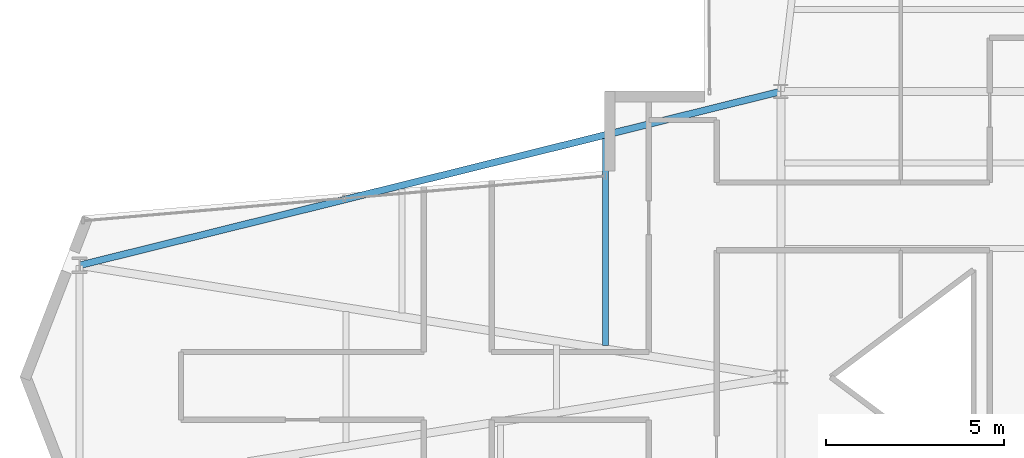
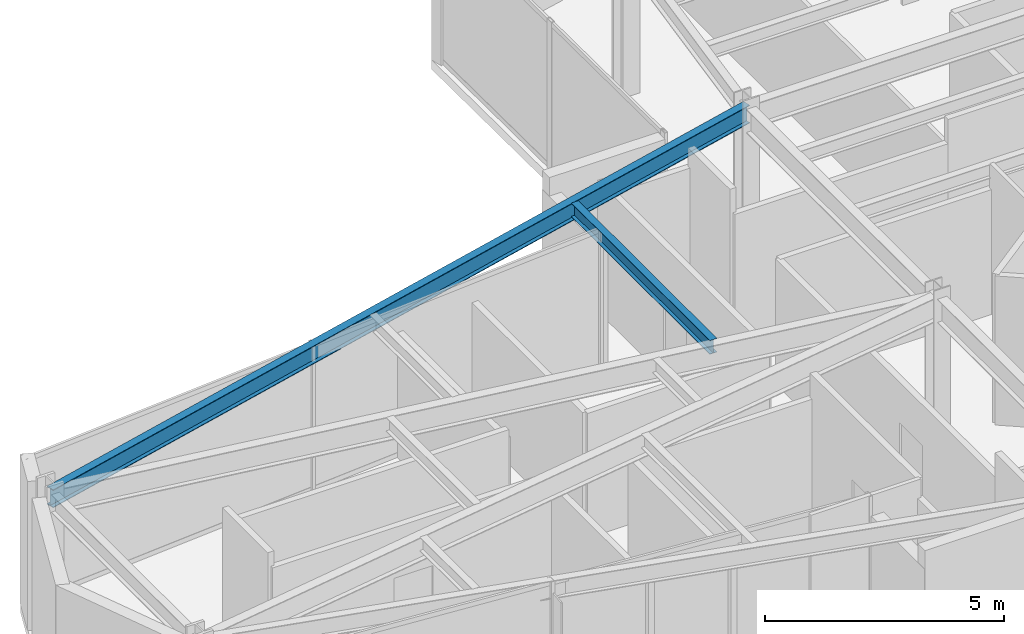
# One storey, part 10 of 26: 2 beams.
"""IFC4 building model written with IfcOpenShell, lengths in metres."""

import ifcopenshell
import ifcopenshell.guid

model = None  # the IFC model being written
_history = None  # IfcOwnerHistory: only IFC2X3 demands one
_inside = {}  # id of a spatial element -> (the spatial element, [elements in it])
_under = {}  # id of a project, library or spatial element -> (it, [spatial elements below it])
_declared = {}  # id of a project -> (the project, [libraries it declares])
_typed = {}  # id of a type object -> (the type object, [elements of that type])
_made_of = {}  # id of a material, layer set ... -> (it, [elements and type objects made of it])


def new_model(schema):
    """Start an empty IFC model of exactly this schema.

    Asked for "IFC4X3", IfcOpenShell would pick the latest addendum, in which some entities
    have other attributes; the version numbers below select the first issue.
    IFC2X3 requires an IfcOwnerHistory on every rooted entity: one is made here for all.
    """
    global model, _history
    if schema == "IFC4X3":
        model = ifcopenshell.file(schema_version=(4, 3, 0, 0))
    else:
        model = ifcopenshell.file(schema=schema)
    _inside.clear()
    _under.clear()
    _declared.clear()
    _typed.clear()
    _made_of.clear()
    _history = None
    if model.schema == "IFC2X3":
        org = make("IfcOrganization", Name="unknown")
        user = make(
            "IfcPersonAndOrganization",
            ThePerson=make("IfcPerson", FamilyName="unknown"),
            TheOrganization=org,
        )
        app = make(
            "IfcApplication",
            ApplicationDeveloper=org,
            Version="unknown",
            ApplicationFullName="unknown",
            ApplicationIdentifier="unknown",
        )
        _history = make(
            "IfcOwnerHistory",
            OwningUser=user,
            OwningApplication=app,
            ChangeAction="ADDED",
            CreationDate=0,
        )
    return model


def make(cls, **values):
    """One entity of the class cls with the attributes given. An attribute that is None is left unset."""
    return model.create_entity(
        cls, **{name: value for name, value in values.items() if value is not None}
    )


def rooted(cls, **values):
    """An entity with a GlobalId (a new one), such as an element, a storey or a relation."""
    return make(cls, GlobalId=ifcopenshell.guid.new(), OwnerHistory=_history, **values)


def si_unit(unit_type, name, prefix=None):
    """IfcSIUnit, for example si_unit("LENGTHUNIT", "METRE", prefix="MILLI")."""
    return make("IfcSIUnit", UnitType=unit_type, Prefix=prefix, Name=name)


def assignment(units):
    """IfcUnitAssignment: the units of a project."""
    return None if units is None else make("IfcUnitAssignment", Units=units)


def point(xyz):
    """IfcCartesianPoint."""
    return None if xyz is None else make("IfcCartesianPoint", Coordinates=xyz)


def direction(xyz):
    """IfcDirection."""
    return None if xyz is None else make("IfcDirection", DirectionRatios=xyz)


def frame(location, z_axis=None, x_axis=None):
    """IfcAxis2Placement3D, a coordinate frame: its origin and axes. An axis left out is left unset."""
    return make(
        "IfcAxis2Placement3D",
        Location=point(location),
        Axis=direction(z_axis),
        RefDirection=direction(x_axis),
    )


def frame_2d(location, x_axis=None):
    """IfcAxis2Placement2D, a coordinate frame in the plane: its origin and x axis."""
    return make(
        "IfcAxis2Placement2D", Location=point(location), RefDirection=direction(x_axis)
    )


def origin():
    """The frame at (0, 0, 0) with its axes left unset."""
    return frame((0.0, 0.0, 0.0))


def origin_2d():
    """The frame at (0, 0) in the plane with its x axis left unset."""
    return frame_2d((0.0, 0.0))


def place(relative_to, where):
    """IfcLocalPlacement: puts the frame where relative to a parent placement (None: the world)."""
    return make(
        "IfcLocalPlacement", PlacementRelTo=relative_to, RelativePlacement=where
    )


def context(
    kind, dimensions, precision=None, world=None, true_north=None, identifier=None
):
    """IfcGeometricRepresentationContext, for example the 3D "Model" context."""
    return make(
        "IfcGeometricRepresentationContext",
        ContextIdentifier=identifier,
        ContextType=kind,
        CoordinateSpaceDimension=dimensions,
        Precision=precision,
        WorldCoordinateSystem=world,
        TrueNorth=true_north,
    )


def subcontext(parent, identifier, kind, view, scale=None):
    """IfcGeometricRepresentationSubContext, for example "Body" below "Model"."""
    return make(
        "IfcGeometricRepresentationSubContext",
        ContextIdentifier=identifier,
        ContextType=kind,
        ParentContext=parent,
        TargetScale=scale,
        TargetView=view,
    )


def project(units=None, contexts=None):
    """IfcProject with its units and contexts."""
    return rooted(
        "IfcProject",
        Name="project",
        RepresentationContexts=contexts,
        UnitsInContext=assignment(units),
    )


def spatial(cls, under=None, at=None, **own):
    """A site, building, storey or space (cls), placed at a placement, below another one or the project."""
    s = rooted(cls, ObjectPlacement=at, **own)
    if under is not None:
        _under.setdefault(under.id(), (under, []))[1].append(s)
    return s


def profile(cls, at=None, kind="AREA", **sizes):
    """A parametric profile (cls). Its sizes go by their IFC names, for example OverallWidth=200.0."""
    return make(cls, ProfileType=kind, Position=at, **sizes)


def i_section(**sizes):
    """IfcIShapeProfileDef."""
    return profile("IfcIShapeProfileDef", **sizes)


def extrude(swept, where, along, depth):
    """IfcExtrudedAreaSolid: the profile swept, set in the frame where, extruded along a direction by depth."""
    return make(
        "IfcExtrudedAreaSolid",
        SweptArea=swept,
        Position=where,
        ExtrudedDirection=direction(along),
        Depth=depth,
    )


def shape(context_of_items, identifier, shape_type, items):
    """IfcShapeRepresentation: the items that make up one representation, for example the "Body"."""
    return make(
        "IfcShapeRepresentation",
        ContextOfItems=context_of_items,
        RepresentationIdentifier=identifier,
        RepresentationType=shape_type,
        Items=items,
    )


def material(Name=None, Category=None):
    """IfcMaterial."""
    return make("IfcMaterial", Name=Name, Category=Category)


def material_profile(
    of_material, cross_section, Name=None, Category=None, Priority=None
):
    """IfcMaterialProfile: a cross section and its material."""
    return make(
        "IfcMaterialProfile",
        Name=Name,
        Material=of_material,
        Profile=cross_section,
        Priority=Priority,
        Category=Category,
    )


def profile_set(profiles, Name=None, composite=None):
    """IfcMaterialProfileSet."""
    return make(
        "IfcMaterialProfileSet",
        Name=Name,
        MaterialProfiles=profiles,
        CompositeProfile=composite,
    )


def made_of(thing, what):
    """Note that an element or type object is made of a material, layer set ...; save() writes the relation."""
    if what is not None:
        _made_of.setdefault(what.id(), (what, []))[1].append(thing)
    return thing


def type_object(cls, material=None, **own):
    """A type object (cls), such as IfcWallType, which elements share."""
    return made_of(rooted(cls, **own), material)


def element(
    cls,
    number,
    at=None,
    inside=None,
    cuts=None,
    type_object=None,
    material=None,
    context=None,
    identifier="Body",
    shape_type=None,
    held_by="IfcProductDefinitionShape",
    body=None,
    shapes=None,
    **own,
):
    """One element of the class cls, such as IfcWall. Its Tag is "e" and its number.

    at: its placement. inside: the storey or other place that contains it. cuts: it is an
    opening in that element (IfcRelVoidsElement). A single representation is given by context,
    identifier, shape_type and body (its items); several are given by shapes. held_by: the class
    of the entity that holds the representations. save() writes the other relations.
    """
    e = rooted(cls, Tag="e%d" % number, ObjectPlacement=at, **own)
    if body is not None:
        shapes = [shape(context, identifier, shape_type, body)]
    if shapes is not None:
        e.Representation = make(held_by, Representations=shapes)
    if inside is not None:
        _inside.setdefault(inside.id(), (inside, []))[1].append(e)
    if cuts is not None:
        rooted(
            "IfcRelVoidsElement", RelatingBuildingElement=cuts, RelatedOpeningElement=e
        )
    if type_object is not None:
        _typed.setdefault(type_object.id(), (type_object, []))[1].append(e)
    return made_of(e, material)


def aggregate(whole, parts):
    """IfcRelAggregates: a whole, such as a stair, and the parts it consists of."""
    return rooted("IfcRelAggregates", RelatingObject=whole, RelatedObjects=parts)


def save(model, path):
    """Write the relations noted so far, then the file.

    IfcRelAggregates (storeys below a building ...), IfcRelContainedInSpatialStructure (elements
    in a storey), IfcRelDefinesByType, IfcRelAssociatesMaterial and IfcRelDeclares: one each for
    every whole, place, type object, material and project.
    """
    for whole, parts in _under.values():
        aggregate(whole, parts)
    for where, things in _inside.values():
        rooted(
            "IfcRelContainedInSpatialStructure",
            RelatedElements=things,
            RelatingStructure=where,
        )
    for kind, things in _typed.values():
        rooted("IfcRelDefinesByType", RelatedObjects=things, RelatingType=kind)
    for what, things in _made_of.values():
        rooted("IfcRelAssociatesMaterial", RelatedObjects=things, RelatingMaterial=what)
    for by, libraries in _declared.values():
        rooted("IfcRelDeclares", RelatingContext=by, RelatedDefinitions=libraries)
    model.write(path)


model = new_model("IFC4")

# Units and contexts
model_context = context("Model", 3, precision=1e-05, world=origin(), true_north=direction((0.0, 1.0)))
body_context = subcontext(model_context, "Body", "Model", "MODEL_VIEW")
ifc_project = project(units=[si_unit("LENGTHUNIT", "METRE"), si_unit("AREAUNIT", "SQUARE_METRE"), si_unit("VOLUMEUNIT", "CUBIC_METRE"), si_unit("PLANEANGLEUNIT", "RADIAN"), si_unit("MASSUNIT", "GRAM", prefix="KILO")], contexts=[model_context])

# Site, building, storey
site_placement = place(None, origin())
site = spatial("IfcSite", under=ifc_project, at=site_placement, CompositionType="ELEMENT")
building_placement = place(site_placement, origin())
building = spatial("IfcBuilding", under=site, at=building_placement, Name="Veymaron Broadcast Tower", CompositionType="ELEMENT")
storey_placement = place(building_placement, frame((0.0, 0.0, 153.300048828125)))
storey = spatial("IfcBuildingStorey", under=building, at=storey_placement, Name="L35", CompositionType="ELEMENT", Elevation=153.300048828125)

# Beams
ifc_material = material(Name="Structural steel ASTM A992 Gr 50", Category="steel")
ifc_material_profile_1 = material_profile(ifc_material, i_section(OverallWidth=0.1708984375, OverallDepth=0.35498046875, WebThickness=0.007080078125, FlangeThickness=0.01171875, at=origin_2d()), Name="W360X51")
ifc_profile_set_1 = profile_set([ifc_material_profile_1], Name="Structural steel ASTM A992 Gr 50")
beam_type_1 = type_object("IfcBeamType", Name="BM-JS2", PredefinedType="JOIST", material=ifc_profile_set_1)
beam_1_placement = place(storey_placement, frame((26.288330078125, 24.882080078125, 3.632568359375), z_axis=(0.0, 1.0, 0.0), x_axis=(-1.0, 0.0, 0.0)))
element("IfcBeam", 1, at=beam_1_placement, inside=storey, type_object=beam_type_1, Name="L35 Arm-A secondary joist 2N", PredefinedType="JOIST", context=body_context, shape_type="SweptSolid", body=[
    extrude(i_section(OverallWidth=0.1708984375, OverallDepth=0.35498046875, WebThickness=0.007080078125, FlangeThickness=0.01171875, at=origin_2d()), origin(), (0.0, 0.0, 1.0), 5.7998046875),
])
ifc_material_profile_2 = material_profile(ifc_material, i_section(OverallWidth=0.19091796875, OverallDepth=0.4599609375, WebThickness=0.010009765625, FlangeThickness=0.01611328125, at=origin_2d()), Name="W460X82")
ifc_profile_set_2 = profile_set([ifc_material_profile_2], Name="Structural steel ASTM A992 Gr 50")
beam_type_2 = type_object("IfcBeamType", Name="BM-SP1", PredefinedType="SPANDREL", material=ifc_profile_set_2)
beam_2_placement = place(storey_placement, frame((11.5537109375, 27.1279296875, 3.579833984375), z_axis=(0.970599808428, 0.24069900681, 0.0), x_axis=(-0.24069900681, 0.970599808428, 0.0)))
element("IfcBeam", 2, at=beam_2_placement, inside=storey, type_object=beam_type_2, Name="L35 primary structural floor girder", PredefinedType="SPANDREL", context=body_context, shape_type="SweptSolid", body=[
    extrude(i_section(OverallWidth=0.19091796875, OverallDepth=0.4599609375, WebThickness=0.010009765625, FlangeThickness=0.01611328125, at=origin_2d()), origin(), (0.0, 0.0, 1.0), 20.241455078125),
])

save(model, "model.ifc")
